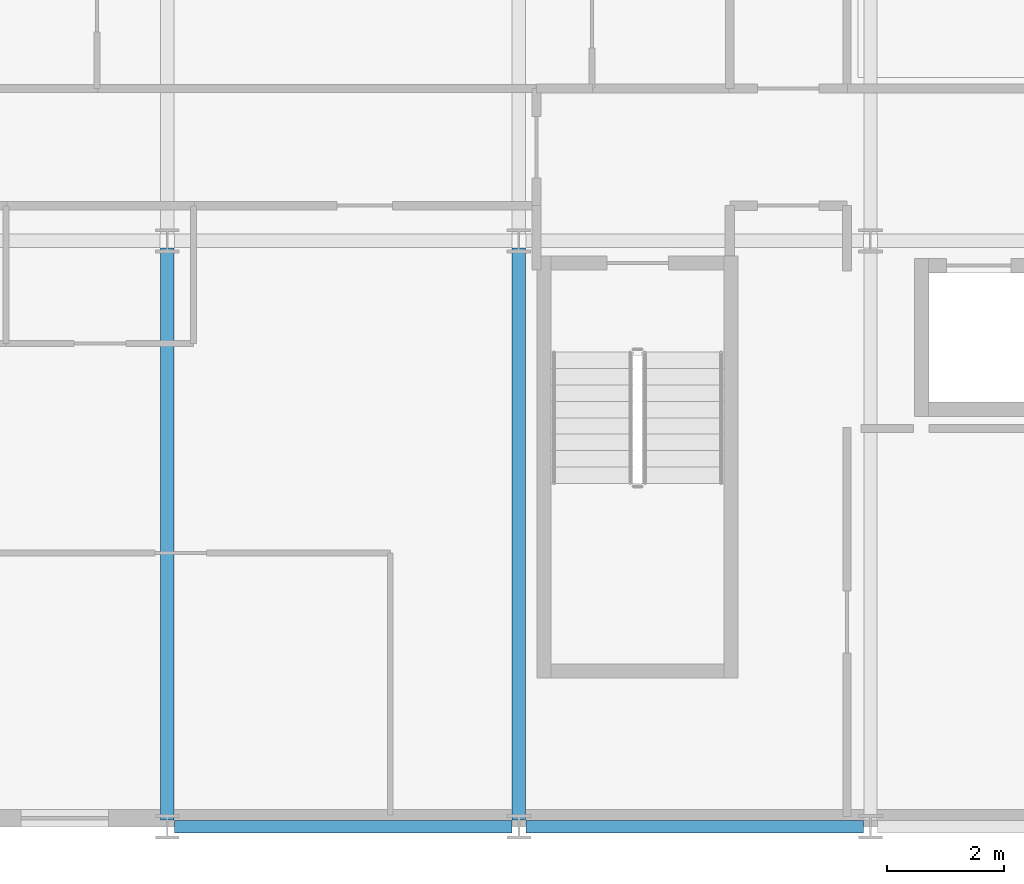
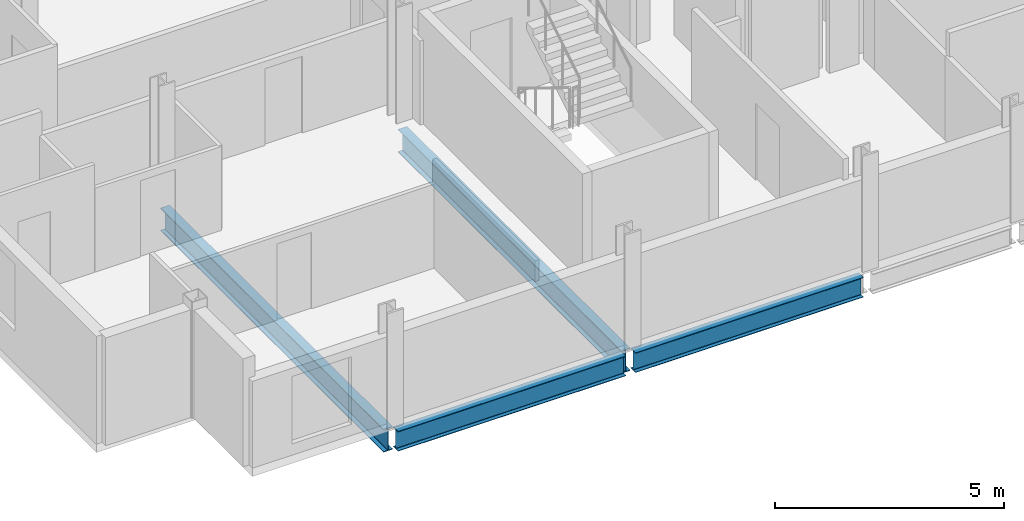
# One storey, part 3 of 38: 4 beams.
"""IFC4 building model written with IfcOpenShell, lengths in metres."""

from ifc_helpers import new_model, si_unit, direction, frame, origin, origin_2d, place, context, subcontext, project, spatial, i_section, extrude, material, material_profile, profile_set, type_object, element, save


model = new_model("IFC4")

# Units and contexts
model_context = context("Model", 3, precision=1e-05, world=origin(), true_north=direction((0.0, 1.0)))
body_context = subcontext(model_context, "Body", "Model", "MODEL_VIEW")
ifc_project = project(units=[si_unit("LENGTHUNIT", "METRE"), si_unit("AREAUNIT", "SQUARE_METRE"), si_unit("VOLUMEUNIT", "CUBIC_METRE"), si_unit("PLANEANGLEUNIT", "RADIAN"), si_unit("MASSUNIT", "GRAM", prefix="KILO")], contexts=[model_context])

# Site, building, storey
site_placement = place(None, origin())
site = spatial("IfcSite", under=ifc_project, at=site_placement, CompositionType="ELEMENT")
building_placement = place(site_placement, origin())
building = spatial("IfcBuilding", under=site, at=building_placement, Name="Brevholm Reach", CompositionType="ELEMENT")
storey_placement = place(building_placement, frame((0.0, 0.0, 166.60009765625)))
storey = spatial("IfcBuildingStorey", under=building, at=storey_placement, Name="L50", CompositionType="ELEMENT", Elevation=166.60009765625)

# Beams
ifc_material_1 = material(Name="Structural Steel S355J2", Category="steel")
ifc_material_profile_1 = material_profile(ifc_material_1, i_section(OverallWidth=0.209228515625, OverallDepth=0.533203125, WebThickness=0.010009765625, FlangeThickness=0.015625, FilletRadius=0.0126953125, at=origin_2d()), Name="UKB 533x210x92")
ifc_profile_set_1 = profile_set([ifc_material_profile_1], Name="Structural Steel S355J2")
beam_type_1 = type_object("IfcBeamType", Name="BM-SP533", PredefinedType="SPANDREL", material=ifc_profile_set_1)
for number, where, z_axis, x_axis, name in (
    (1, (6.1201171875, 0.0, -0.486572265625), (1.0, 0.0, 0.0), (0.0, 1.0, 0.0), "L50 SP-02 Framing Beam"),
    (2, (12.1201171875, 0.0, -0.486572265625), (1.0, 0.0, 0.0), (0.0, 1.0, 0.0), "L50 SP-02 Framing Beam"),
):
    element("IfcBeam", number, at=place(storey_placement, frame(where, z_axis=z_axis, x_axis=x_axis)), inside=storey, type_object=beam_type_1, Name=name, PredefinedType="SPANDREL", context=body_context, shape_type="SweptSolid", body=[
        extrude(i_section(OverallWidth=0.209228515625, OverallDepth=0.533203125, WebThickness=0.010009765625, FlangeThickness=0.015625, FilletRadius=0.0126953125, at=origin_2d()), origin(), (0.0, 0.0, 1.0), 5.759765625),
    ])
ifc_material_2 = material(Name="Structural Steel S355J2", Category="steel")
ifc_material_profile_2 = material_profile(ifc_material_2, i_section(OverallWidth=0.22900390625, OverallDepth=0.6123046875, WebThickness=0.011962890625, FlangeThickness=0.01953125, FilletRadius=0.0126953125, at=origin_2d()), Name="UKB 610x229x125")
ifc_profile_set_2 = profile_set([ifc_material_profile_2], Name="Structural Steel S355J2")
beam_type_2 = type_object("IfcBeamType", Name="BM-SP610", PredefinedType="SPANDREL", material=ifc_profile_set_2)
for number, where, z_axis, x_axis, name in (
    (3, (6.0, 0.1201171875, -0.526123046875), (0.0, 1.0, 0.0), (-1.0, 0.0, 0.0), "L50 SP-01 Framing Beam"),
    (4, (12.0, 0.1201171875, -0.526123046875), (0.0, 1.0, 0.0), (-1.0, 0.0, 0.0), "L50 SP-01 Framing Beam"),
):
    element("IfcBeam", number, at=place(storey_placement, frame(where, z_axis=z_axis, x_axis=x_axis)), inside=storey, type_object=beam_type_2, Name=name, PredefinedType="SPANDREL", context=body_context, shape_type="SweptSolid", body=[
        extrude(i_section(OverallWidth=0.22900390625, OverallDepth=0.6123046875, WebThickness=0.011962890625, FlangeThickness=0.01953125, FilletRadius=0.0126953125, at=origin_2d()), origin(), (0.0, 0.0, 1.0), 9.759765625),
    ])

save(model, "model.ifc")
